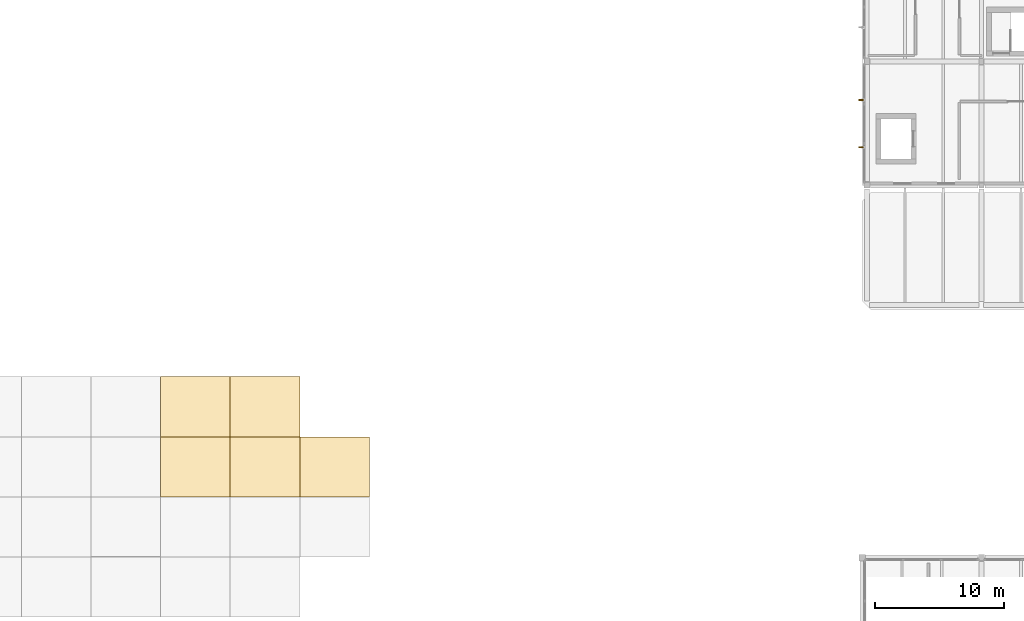
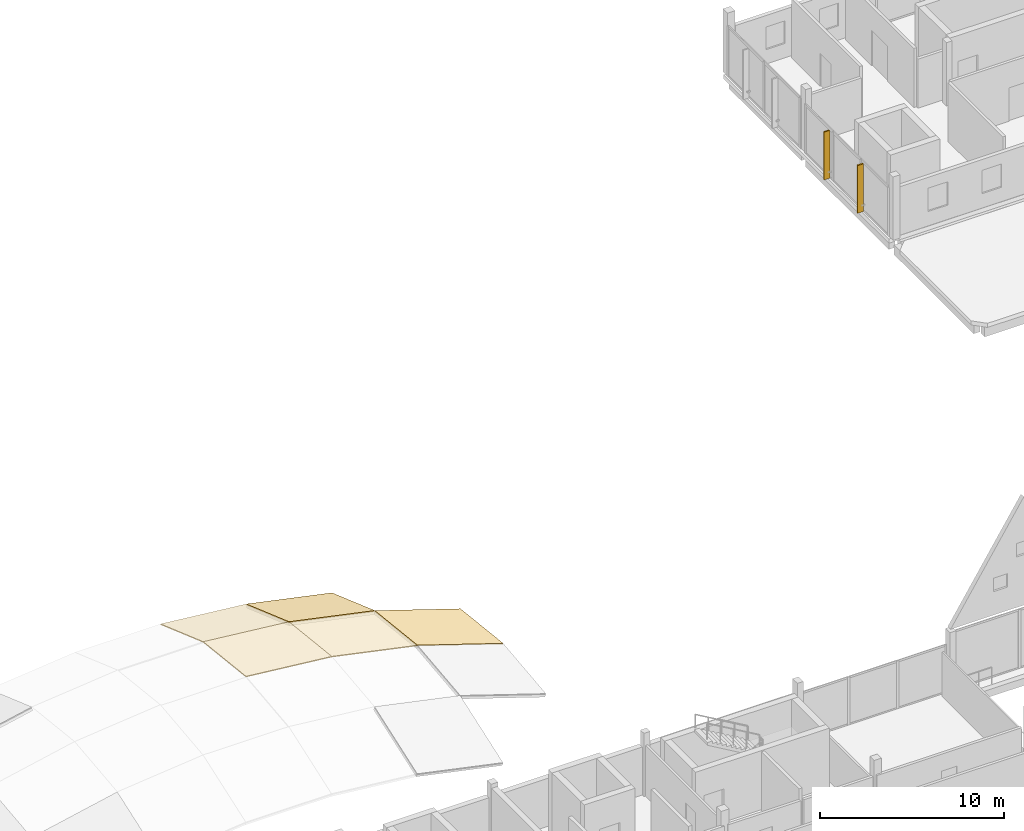
# One storey, part 32 of 35: 5 coverings, 2 shading devices.
"""IFC4 building model written with IfcOpenShell, lengths in metres."""

from ifc_helpers import new_model, si_unit, direction, frame, origin, origin_2d, place, context, subcontext, project, spatial, polyline, rectangle, outline, extrude, material, layer, layer_set, type_object, element, save


model = new_model("IFC4")

# Units and contexts
model_context = context("Model", 3, precision=1e-05, world=origin(), true_north=direction((0.0, 1.0)))
body_context = subcontext(model_context, "Body", "Model", "MODEL_VIEW")
ifc_project = project(units=[si_unit("LENGTHUNIT", "METRE"), si_unit("AREAUNIT", "SQUARE_METRE"), si_unit("VOLUMEUNIT", "CUBIC_METRE"), si_unit("PLANEANGLEUNIT", "RADIAN"), si_unit("MASSUNIT", "GRAM", prefix="KILO")], contexts=[model_context])

# Site, building, storey
site_placement = place(None, origin())
site = spatial("IfcSite", under=ifc_project, at=site_placement, CompositionType="ELEMENT")
building_placement = place(site_placement, origin())
building = spatial("IfcBuilding", under=site, at=building_placement, Name="Birchvale Park Specialist Clinic", CompositionType="ELEMENT")
storey_placement = place(building_placement, frame((0.0, 0.0, 13.800048828125)))
storey = spatial("IfcBuildingStorey", under=building, at=storey_placement, Name="L03", CompositionType="ELEMENT", Elevation=13.800048828125)

# Coverings
ifc_material_1 = material(Name="Standing-seam titanium-zinc roofing")
ifc_layer = layer(ifc_material_1, 0.054931640625)
ifc_layer_set = layer_set([ifc_layer], Name="Standing-seam titanium-zinc roofing")
covering_type = type_object("IfcCoveringType", Name="COV-RF2", PredefinedType="ROOFING", material=ifc_layer_set)
covering_1_placement = place(storey_placement, frame((73.69287109375, 49.10009765625, 4.585205078125), z_axis=(0.103089987277, 0.1101650093, 0.98855254046), x_axis=(0.994606371594, 2.455038e-06, -0.103721577211)))
element("IfcCovering", 1, at=covering_1_placement, inside=storey, type_object=covering_type, Name="V1 gridshell standing-seam covering 28", PredefinedType="ROOFING", context=body_context, shape_type="SweptSolid", body=[
    extrude(outline(polyline([(0.0, 0.0), (5.414960914677757, 1.3877787807814457e-17), (5.468706995119458, 4.678364666416218), (0.05377140309238733, 4.678391417042948), (0.0, 0.0)])), origin(), (0.0, 0.0, -1.0), 0.054931640625),
])
covering_2_placement = place(storey_placement, frame((73.69287109375, 53.75, 4.06689453125), z_axis=(0.097855218234, 0.330954712464, 0.938559180106), x_axis=(0.994608725176, 0.0, -0.103699005798)))
element("IfcCovering", 2, at=covering_2_placement, inside=storey, type_object=covering_type, Name="V1 gridshell standing-seam covering 29", PredefinedType="ROOFING", context=body_context, shape_type="SweptSolid", body=[
    extrude(outline(polyline([(0.0, 0.0), (5.4149355934377565, 0.0), (5.584965506264842, 4.927588521148245), (0.17002991282708546, 4.927588521148245), (0.0, 0.0)])), origin(), (0.0, 0.0, -1.0), 0.054931640625),
])
covering_3_placement = place(storey_placement, frame((79.07861328125, 49.10009765625, 4.0234375), z_axis=(0.2062021301, 0.10837491707, 0.97248936184), x_axis=(0.978251222924, -2.336848e-06, -0.207423587958)))
element("IfcCovering", 3, at=covering_3_placement, inside=storey, type_object=covering_type, Name="V1 gridshell standing-seam covering 34", PredefinedType="ROOFING", context=body_context, shape_type="SweptSolid", body=[
    extrude(outline(polyline([(0.0, 0.0), (5.505454613914254, -1.3877787807814457e-17), (5.612953581107695, 4.677465295154352), (0.10744832666903689, 4.677439411761525), (0.0, 0.0)])), origin(), (0.0, 0.0, -1.0), 0.054931640625),
])
covering_4_placement = place(storey_placement, frame((79.07861328125, 53.75, 3.50537109375), z_axis=(0.196105592745, 0.326093526643, 0.924773274038), x_axis=(0.978246670793, 0.0, -0.207445055574)))
element("IfcCovering", 4, at=covering_4_placement, inside=storey, type_object=covering_type, Name="V1 gridshell standing-seam covering 35", PredefinedType="ROOFING", context=body_context, shape_type="SweptSolid", body=[
    extrude(outline(polyline([(0.0, 0.0), (5.5055052557793625, -5.551115123125783e-17), (5.845642217018939, 4.918774812146482), (0.340136961239576, 4.918774812146482), (0.0, 0.0)])), origin(), (0.0, 0.0, -1.0), 0.054931640625),
])
covering_5_placement = place(storey_placement, frame((84.46435546875, 49.10009765625, 2.881591796875), z_axis=(0.309438556385, 0.105343691669, 0.945066392614), x_axis=(0.950354284012, 0.0, -0.311169945304)))
element("IfcCovering", 5, at=covering_5_placement, inside=storey, type_object=covering_type, Name="V1 gridshell standing-seam covering 40", PredefinedType="ROOFING", context=body_context, shape_type="SweptSolid", body=[
    extrude(outline(polyline([(0.0, 0.0), (5.66708887212652, 0.0), (5.828371536648327, 4.67591975246992), (0.16128266452180726, 4.67591975246992), (0.0, 0.0)])), origin(), (0.0, 0.0, -1.0), 0.054931640625),
])

# Shading devices
ifc_material_2 = material(Name="Glulam GL28h", Category="wood")
shading_device_type = type_object("IfcShadingDeviceType", Name="SHD-FIN1", PredefinedType="USERDEFINED", material=ifc_material_2)
for number, where, z_axis, x_axis, name in (
    (6, (127.89501953125, 79.804443359375, 0.050048828125), (0.0, 0.0, 1.0), (1.0, 0.0, 0.0), "V6 L03 glulam solar fin 55"),
    (7, (127.89501953125, 76.150390625, 0.050048828125), (0.0, 0.0, 1.0), (1.0, 0.0, 0.0), "V6 L03 glulam solar fin 56"),
):
    element("IfcShadingDevice", number, at=place(storey_placement, frame(where, z_axis=z_axis, x_axis=x_axis)), inside=storey, type_object=shading_device_type, Name=name, ObjectType="FIN", PredefinedType="USERDEFINED", context=body_context, shape_type="SweptSolid", body=[
        extrude(rectangle(XDim=0.360107421875, YDim=0.090087890625, at=origin_2d()), origin(), (0.0, 0.0, 1.0), 3.169921875),
    ])

save(model, "model.ifc")
